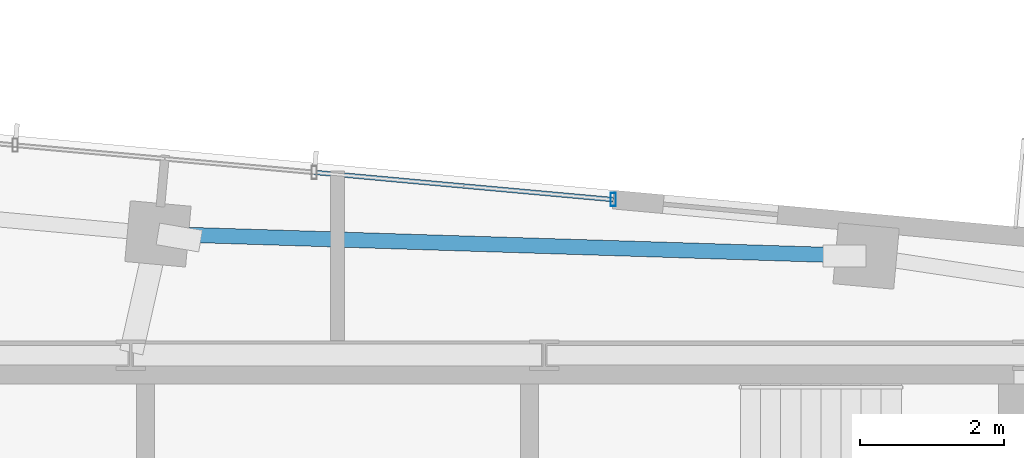
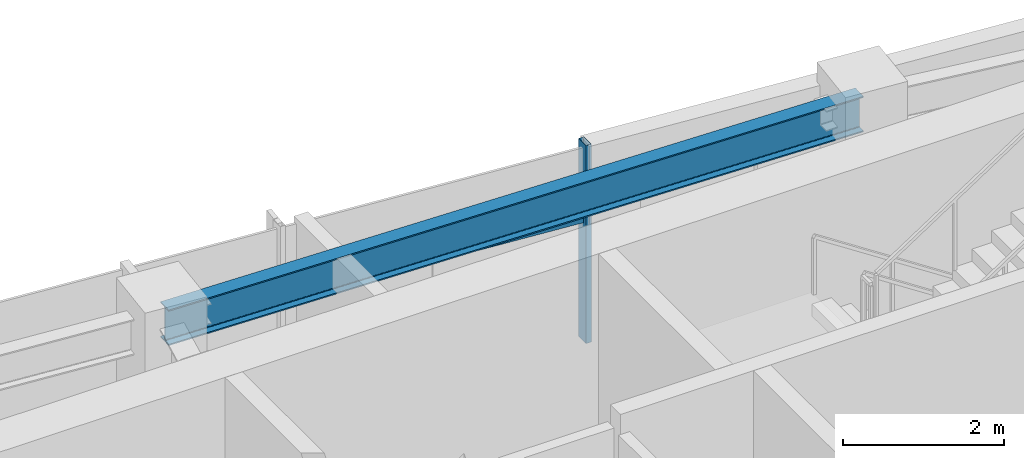
# One storey, part 11 of 22: 2 members, 1 beam, 1 element without a shape of its own.
"""IFC4 building model written with IfcOpenShell, lengths in metres."""

import ifcopenshell
import ifcopenshell.guid

model = None  # the IFC model being written
_history = None  # IfcOwnerHistory: only IFC2X3 demands one
_inside = {}  # id of a spatial element -> (the spatial element, [elements in it])
_under = {}  # id of a project, library or spatial element -> (it, [spatial elements below it])
_declared = {}  # id of a project -> (the project, [libraries it declares])
_typed = {}  # id of a type object -> (the type object, [elements of that type])
_made_of = {}  # id of a material, layer set ... -> (it, [elements and type objects made of it])


def new_model(schema):
    """Start an empty IFC model of exactly this schema.

    Asked for "IFC4X3", IfcOpenShell would pick the latest addendum, in which some entities
    have other attributes; the version numbers below select the first issue.
    IFC2X3 requires an IfcOwnerHistory on every rooted entity: one is made here for all.
    """
    global model, _history
    if schema == "IFC4X3":
        model = ifcopenshell.file(schema_version=(4, 3, 0, 0))
    else:
        model = ifcopenshell.file(schema=schema)
    _inside.clear()
    _under.clear()
    _declared.clear()
    _typed.clear()
    _made_of.clear()
    _history = None
    if model.schema == "IFC2X3":
        org = make("IfcOrganization", Name="unknown")
        user = make(
            "IfcPersonAndOrganization",
            ThePerson=make("IfcPerson", FamilyName="unknown"),
            TheOrganization=org,
        )
        app = make(
            "IfcApplication",
            ApplicationDeveloper=org,
            Version="unknown",
            ApplicationFullName="unknown",
            ApplicationIdentifier="unknown",
        )
        _history = make(
            "IfcOwnerHistory",
            OwningUser=user,
            OwningApplication=app,
            ChangeAction="ADDED",
            CreationDate=0,
        )
    return model


def make(cls, **values):
    """One entity of the class cls with the attributes given. An attribute that is None is left unset."""
    return model.create_entity(
        cls, **{name: value for name, value in values.items() if value is not None}
    )


def rooted(cls, **values):
    """An entity with a GlobalId (a new one), such as an element, a storey or a relation."""
    return make(cls, GlobalId=ifcopenshell.guid.new(), OwnerHistory=_history, **values)


def si_unit(unit_type, name, prefix=None):
    """IfcSIUnit, for example si_unit("LENGTHUNIT", "METRE", prefix="MILLI")."""
    return make("IfcSIUnit", UnitType=unit_type, Prefix=prefix, Name=name)


def assignment(units):
    """IfcUnitAssignment: the units of a project."""
    return None if units is None else make("IfcUnitAssignment", Units=units)


def point(xyz):
    """IfcCartesianPoint."""
    return None if xyz is None else make("IfcCartesianPoint", Coordinates=xyz)


def direction(xyz):
    """IfcDirection."""
    return None if xyz is None else make("IfcDirection", DirectionRatios=xyz)


def frame(location, z_axis=None, x_axis=None):
    """IfcAxis2Placement3D, a coordinate frame: its origin and axes. An axis left out is left unset."""
    return make(
        "IfcAxis2Placement3D",
        Location=point(location),
        Axis=direction(z_axis),
        RefDirection=direction(x_axis),
    )


def frame_2d(location, x_axis=None):
    """IfcAxis2Placement2D, a coordinate frame in the plane: its origin and x axis."""
    return make(
        "IfcAxis2Placement2D", Location=point(location), RefDirection=direction(x_axis)
    )


def origin():
    """The frame at (0, 0, 0) with its axes left unset."""
    return frame((0.0, 0.0, 0.0))


def origin_2d():
    """The frame at (0, 0) in the plane with its x axis left unset."""
    return frame_2d((0.0, 0.0))


def place(relative_to, where):
    """IfcLocalPlacement: puts the frame where relative to a parent placement (None: the world)."""
    return make(
        "IfcLocalPlacement", PlacementRelTo=relative_to, RelativePlacement=where
    )


def context(
    kind, dimensions, precision=None, world=None, true_north=None, identifier=None
):
    """IfcGeometricRepresentationContext, for example the 3D "Model" context."""
    return make(
        "IfcGeometricRepresentationContext",
        ContextIdentifier=identifier,
        ContextType=kind,
        CoordinateSpaceDimension=dimensions,
        Precision=precision,
        WorldCoordinateSystem=world,
        TrueNorth=true_north,
    )


def subcontext(parent, identifier, kind, view, scale=None):
    """IfcGeometricRepresentationSubContext, for example "Body" below "Model"."""
    return make(
        "IfcGeometricRepresentationSubContext",
        ContextIdentifier=identifier,
        ContextType=kind,
        ParentContext=parent,
        TargetScale=scale,
        TargetView=view,
    )


def project(units=None, contexts=None):
    """IfcProject with its units and contexts."""
    return rooted(
        "IfcProject",
        Name="project",
        RepresentationContexts=contexts,
        UnitsInContext=assignment(units),
    )


def spatial(cls, under=None, at=None, **own):
    """A site, building, storey or space (cls), placed at a placement, below another one or the project."""
    s = rooted(cls, ObjectPlacement=at, **own)
    if under is not None:
        _under.setdefault(under.id(), (under, []))[1].append(s)
    return s


def profile(cls, at=None, kind="AREA", **sizes):
    """A parametric profile (cls). Its sizes go by their IFC names, for example OverallWidth=200.0."""
    return make(cls, ProfileType=kind, Position=at, **sizes)


def hollow_rectangle(**sizes):
    """IfcRectangleHollowProfileDef."""
    return profile("IfcRectangleHollowProfileDef", **sizes)


def i_section(**sizes):
    """IfcIShapeProfileDef."""
    return profile("IfcIShapeProfileDef", **sizes)


def extrude(swept, where, along, depth):
    """IfcExtrudedAreaSolid: the profile swept, set in the frame where, extruded along a direction by depth."""
    return make(
        "IfcExtrudedAreaSolid",
        SweptArea=swept,
        Position=where,
        ExtrudedDirection=direction(along),
        Depth=depth,
    )


def shape(context_of_items, identifier, shape_type, items):
    """IfcShapeRepresentation: the items that make up one representation, for example the "Body"."""
    return make(
        "IfcShapeRepresentation",
        ContextOfItems=context_of_items,
        RepresentationIdentifier=identifier,
        RepresentationType=shape_type,
        Items=items,
    )


def source(mapping_origin, context_of_items, identifier, shape_type, items):
    """IfcRepresentationMap: a shape defined once, which mapped items show again and again."""
    return make(
        "IfcRepresentationMap",
        MappingOrigin=mapping_origin,
        MappedRepresentation=shape(context_of_items, identifier, shape_type, items),
    )


def transform(
    local_origin,
    x_axis=None,
    y_axis=None,
    z_axis=None,
    scale=None,
    scale2=None,
    scale3=None,
    uniform=True,
):
    """IfcCartesianTransformationOperator3D, or its non-uniform kind. x_axis, y_axis, z_axis: its Axis1, 2, 3."""
    if uniform:
        return make(
            "IfcCartesianTransformationOperator3D",
            Axis1=direction(x_axis),
            Axis2=direction(y_axis),
            LocalOrigin=point(local_origin),
            Scale=scale,
            Axis3=direction(z_axis),
        )
    return make(
        "IfcCartesianTransformationOperator3DnonUniform",
        Axis1=direction(x_axis),
        Axis2=direction(y_axis),
        LocalOrigin=point(local_origin),
        Scale=scale,
        Axis3=direction(z_axis),
        Scale2=scale2,
        Scale3=scale3,
    )


def mapped(mapping_source, mapping_target):
    """IfcMappedItem: shows the shape of a source again, moved by a transform."""
    return make(
        "IfcMappedItem", MappingSource=mapping_source, MappingTarget=mapping_target
    )


def material(Name=None, Category=None):
    """IfcMaterial."""
    return make("IfcMaterial", Name=Name, Category=Category)


def material_profile(
    of_material, cross_section, Name=None, Category=None, Priority=None
):
    """IfcMaterialProfile: a cross section and its material."""
    return make(
        "IfcMaterialProfile",
        Name=Name,
        Material=of_material,
        Profile=cross_section,
        Priority=Priority,
        Category=Category,
    )


def profile_set(profiles, Name=None, composite=None):
    """IfcMaterialProfileSet."""
    return make(
        "IfcMaterialProfileSet",
        Name=Name,
        MaterialProfiles=profiles,
        CompositeProfile=composite,
    )


def made_of(thing, what):
    """Note that an element or type object is made of a material, layer set ...; save() writes the relation."""
    if what is not None:
        _made_of.setdefault(what.id(), (what, []))[1].append(thing)
    return thing


def type_object(cls, material=None, **own):
    """A type object (cls), such as IfcWallType, which elements share."""
    return made_of(rooted(cls, **own), material)


def type_shapes(of_type, sources):
    """Give a type object the sources (RepresentationMaps) that its elements show as mapped items."""
    of_type.RepresentationMaps = sources


def element(
    cls,
    number,
    at=None,
    inside=None,
    cuts=None,
    type_object=None,
    material=None,
    context=None,
    identifier="Body",
    shape_type=None,
    held_by="IfcProductDefinitionShape",
    body=None,
    shapes=None,
    **own,
):
    """One element of the class cls, such as IfcWall. Its Tag is "e" and its number.

    at: its placement. inside: the storey or other place that contains it. cuts: it is an
    opening in that element (IfcRelVoidsElement). A single representation is given by context,
    identifier, shape_type and body (its items); several are given by shapes. held_by: the class
    of the entity that holds the representations. save() writes the other relations.
    """
    e = rooted(cls, Tag="e%d" % number, ObjectPlacement=at, **own)
    if body is not None:
        shapes = [shape(context, identifier, shape_type, body)]
    if shapes is not None:
        e.Representation = make(held_by, Representations=shapes)
    if inside is not None:
        _inside.setdefault(inside.id(), (inside, []))[1].append(e)
    if cuts is not None:
        rooted(
            "IfcRelVoidsElement", RelatingBuildingElement=cuts, RelatedOpeningElement=e
        )
    if type_object is not None:
        _typed.setdefault(type_object.id(), (type_object, []))[1].append(e)
    return made_of(e, material)


def aggregate(whole, parts):
    """IfcRelAggregates: a whole, such as a stair, and the parts it consists of."""
    return rooted("IfcRelAggregates", RelatingObject=whole, RelatedObjects=parts)


def save(model, path):
    """Write the relations noted so far, then the file.

    IfcRelAggregates (storeys below a building ...), IfcRelContainedInSpatialStructure (elements
    in a storey), IfcRelDefinesByType, IfcRelAssociatesMaterial and IfcRelDeclares: one each for
    every whole, place, type object, material and project.
    """
    for whole, parts in _under.values():
        aggregate(whole, parts)
    for where, things in _inside.values():
        rooted(
            "IfcRelContainedInSpatialStructure",
            RelatedElements=things,
            RelatingStructure=where,
        )
    for kind, things in _typed.values():
        rooted("IfcRelDefinesByType", RelatedObjects=things, RelatingType=kind)
    for what, things in _made_of.values():
        rooted("IfcRelAssociatesMaterial", RelatedObjects=things, RelatingMaterial=what)
    for by, libraries in _declared.values():
        rooted("IfcRelDeclares", RelatingContext=by, RelatedDefinitions=libraries)
    model.write(path)


model = new_model("IFC4")

# Units and contexts
model_context = context("Model", 3, precision=1e-05, world=origin(), true_north=direction((0.0, 1.0)))
body_context = subcontext(model_context, "Body", "Model", "MODEL_VIEW")
ifc_project = project(units=[si_unit("LENGTHUNIT", "METRE"), si_unit("AREAUNIT", "SQUARE_METRE"), si_unit("VOLUMEUNIT", "CUBIC_METRE"), si_unit("PLANEANGLEUNIT", "RADIAN"), si_unit("MASSUNIT", "GRAM", prefix="KILO")], contexts=[model_context])

# Site, building, storey
site_placement = place(None, origin())
site = spatial("IfcSite", under=ifc_project, at=site_placement, CompositionType="ELEMENT")
building_placement = place(site_placement, origin())
building = spatial("IfcBuilding", under=site, at=building_placement, Name="Astriad Promenade Condominiums", CompositionType="ELEMENT")
storey_placement = place(building_placement, frame((0.0, 0.0, 256.199951171875)))
storey = spatial("IfcBuildingStorey", under=building, at=storey_placement, Name="L74", CompositionType="ELEMENT", Elevation=256.199951171875)

# Beam
ifc_material_1 = material(Name="Steel ASTM A992 Grade 50", Category="steel")
ifc_material_profile_1 = material_profile(ifc_material_1, i_section(OverallWidth=0.210693359375, OverallDepth=0.53955078125, WebThickness=0.01171875, FlangeThickness=0.018798828125, FilletRadius=0.0166015625, at=origin_2d()), Name="W21X73")
ifc_profile_set_1 = profile_set([ifc_material_profile_1], Name="Steel ASTM A992 Grade 50")
beam_type = type_object("IfcBeamType", Name="STEEL SPANDREL BEAM W21X73", PredefinedType="SPANDREL", material=ifc_profile_set_1)
shared_shape_1 = source(origin(), body_context, "Body", "SweptSolid", [
    extrude(i_section(OverallWidth=0.210693359375, OverallDepth=0.53955078125, WebThickness=0.01171875, FlangeThickness=0.018798828125, FilletRadius=0.0166015625, at=origin_2d()), origin(), (0.0, 0.0, 1.0), 9.783935546875),
])
type_shapes(beam_type, [shared_shape_1])
beam_placement = place(storey_placement, frame((43.31884765625, 25.381103515625, 2.73046875), z_axis=(-0.999511077438, 0.031266692798, 0.0), x_axis=(-0.031266692798, -0.999511077438, 0.0)))
element("IfcBeam", 1, at=beam_placement, inside=storey, type_object=beam_type, Name="Perimeter Spandrel Beam SP-N3-L74", PredefinedType="SPANDREL", context=body_context, shape_type="MappedRepresentation", body=[
    mapped(shared_shape_1, transform((0.0, 0.0, 0.0), scale=1.0)),
])

# Curtain wall, members
ifc_material_2 = material(Name="Anodised aluminium Black Dark Glass Unitised", Category="aluminium")
curtain_wall_type = type_object("IfcCurtainWallType", Name="CW-B5-DARK", PredefinedType="USERDEFINED", material=ifc_material_2)
curtain_wall_placement = place(storey_placement, origin())
curtain_wall = element("IfcCurtainWall", 2, at=curtain_wall_placement, inside=storey, type_object=curtain_wall_type, Name="CW-L74-N", ObjectType="UNITISED_CURTAIN_WALL", PredefinedType="USERDEFINED")
ifc_material_3 = material(Name="Anodised aluminium 6063-T6 Black", Category="aluminium")
ifc_material_profile_2 = material_profile(ifc_material_3, hollow_rectangle(XDim=0.06494140625, YDim=0.1298828125, WallThickness=0.00390625, at=origin_2d()), Name="ALU-TRN-65X130")
ifc_profile_set_2 = profile_set([ifc_material_profile_2], Name="Anodised aluminium 6063-T6 Black")
member_type_1 = type_object("IfcMemberType", Name="TRN-ALU-TRN-65X130", PredefinedType="USERDEFINED", material=ifc_profile_set_2)
shared_shape_2 = source(origin(), body_context, "Body", "SweptSolid", [
    extrude(hollow_rectangle(XDim=0.06494140625, YDim=0.1298828125, WallThickness=0.00390625, at=origin_2d()), origin(), (0.0, 0.0, 1.0), 4.179931640625),
])
type_shapes(member_type_1, [shared_shape_2])
member_1_placement = place(storey_placement, frame((35.67626953125, 26.54443359375, 1.860107421875), z_axis=(0.995883146811, -0.090646334165, 0.0), x_axis=(0.090646334165, 0.995883146811, 0.0)))
member_1 = element("IfcMember", 3, at=member_1_placement, type_object=member_type_1, Name="CW-L74-N-TRN-02-0", ObjectType="TRANSOM", PredefinedType="USERDEFINED", context=body_context, shape_type="MappedRepresentation", body=[
    mapped(shared_shape_2, transform((0.0, 0.0, 0.0), scale=1.0)),
])
ifc_material_profile_3 = material_profile(ifc_material_3, hollow_rectangle(XDim=0.074951171875, YDim=0.18505859375, WallThickness=0.00439453125, at=origin_2d()), Name="ALU-MUL-75X185")
ifc_profile_set_3 = profile_set([ifc_material_profile_3], Name="Anodised aluminium 6063-T6 Black")
member_type_2 = type_object("IfcMemberType", Name="MUL-ALU-MUL-75X185", PredefinedType="MULLION", material=ifc_profile_set_3)
shared_shape_3 = source(origin(), body_context, "Body", "SweptSolid", [
    extrude(hollow_rectangle(XDim=0.074951171875, YDim=0.18505859375, WallThickness=0.00439453125, at=origin_2d()), origin(), (0.0, 0.0, 1.0), 3.0),
])
type_shapes(member_type_2, [shared_shape_3])
member_2_placement = place(storey_placement, frame((39.839111328125, 26.16552734375, 0.0), z_axis=(0.0, 0.0, 1.0), x_axis=(1.0, 0.0, 0.0)))
member_2 = element("IfcMember", 4, at=member_2_placement, type_object=member_type_2, Name="CW-L74-N-MUL-03", PredefinedType="MULLION", context=body_context, shape_type="MappedRepresentation", body=[
    mapped(shared_shape_3, transform((0.0, 0.0, 0.0), scale=1.0)),
])
aggregate(curtain_wall, [member_2, member_1])

save(model, "model.ifc")
